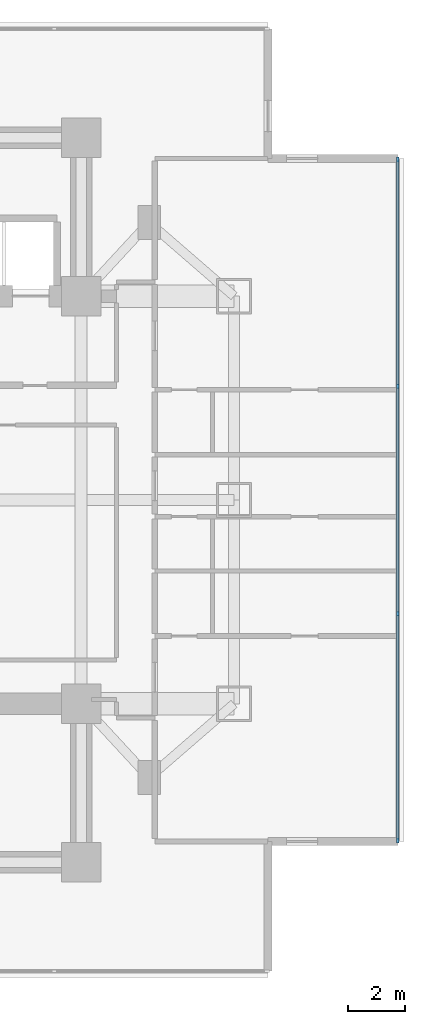
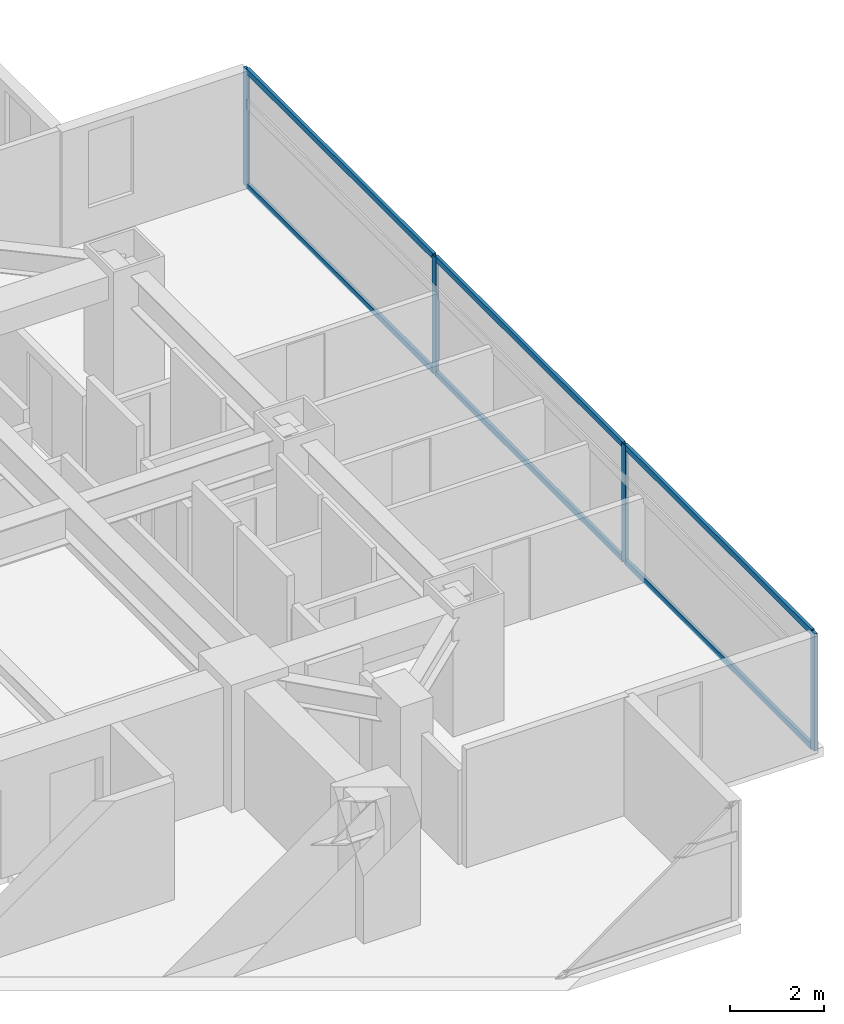
# One storey, part 11 of 26: 10 members, 1 element without a shape of its own.
"""IFC4 building model written with IfcOpenShell, lengths in metres."""

from ifc_helpers import new_model, si_unit, direction, frame, origin, origin_2d, place, context, subcontext, project, spatial, rectangle, extrude, material, material_profile, profile_set, type_object, element, aggregate, save


model = new_model("IFC4")

# Units and contexts
model_context = context("Model", 3, precision=1e-05, world=origin(), true_north=direction((0.0, 1.0)))
body_context = subcontext(model_context, "Body", "Model", "MODEL_VIEW")
ifc_project = project(units=[si_unit("LENGTHUNIT", "METRE"), si_unit("AREAUNIT", "SQUARE_METRE"), si_unit("VOLUMEUNIT", "CUBIC_METRE"), si_unit("PLANEANGLEUNIT", "RADIAN"), si_unit("MASSUNIT", "GRAM", prefix="KILO")], contexts=[model_context])

# Site, building, storey
site_placement = place(None, origin())
site = spatial("IfcSite", under=ifc_project, at=site_placement, CompositionType="ELEMENT")
building_placement = place(site_placement, origin())
building = spatial("IfcBuilding", under=site, at=building_placement, Name="Mirazonda Arch Towers", CompositionType="ELEMENT")
storey_placement = place(building_placement, frame((0.0, 0.0, 48.800048828125)))
storey = spatial("IfcBuildingStorey", under=building, at=storey_placement, Name="L13", CompositionType="ELEMENT", Elevation=48.800048828125)

# Curtain wall, members
ifc_material_1 = material(Name="Anodised Aluminium and Low-E Glass", Category="aluminium")
curtain_wall_type = type_object("IfcCurtainWallType", Name="CW-HTL-UNIT", PredefinedType="NOTDEFINED", material=ifc_material_1)
curtain_wall_placement = place(storey_placement, origin())
curtain_wall = element("IfcCurtainWall", 1, at=curtain_wall_placement, inside=storey, type_object=curtain_wall_type, Name="L13 T2 E Facade CW-L13-T2-E", PredefinedType="NOTDEFINED")
ifc_material_2 = material(Name="Anodised Aluminium Alloy", Category="aluminium")
ifc_material_profile_1 = material_profile(ifc_material_2, rectangle(XDim=0.074951171875, YDim=0.1650390625, at=origin_2d()), Name="ALU-MULL-75x165")
ifc_profile_set_1 = profile_set([ifc_material_profile_1], Name="Anodised Aluminium Alloy")
member_type_1 = type_object("IfcMemberType", Name="MULL-CW-HTL-UNIT", PredefinedType="MULLION", material=ifc_profile_set_1)
member_1_placement = place(storey_placement, frame((96.18408203125, 15.97119140625, 0.0), z_axis=(0.0, 0.0, 1.0), x_axis=(-1.0, 0.0, 0.0)))
member_1 = element("IfcMember", 2, at=member_1_placement, type_object=member_type_1, Name="CW-112 mullion 1", PredefinedType="MULLION", context=body_context, shape_type="SweptSolid", body=[
    extrude(rectangle(XDim=0.074951171875, YDim=0.1650390625, at=origin_2d()), origin(), (0.0, 0.0, 1.0), 3.0400390625),
])
member_2_placement = place(storey_placement, frame((96.18408203125, 23.977783203125, 0.0), z_axis=(0.0, 0.0, 1.0), x_axis=(-1.0, 0.0, 0.0)))
member_2 = element("IfcMember", 3, at=member_2_placement, type_object=member_type_1, Name="CW-112 mullion 2", PredefinedType="MULLION", context=body_context, shape_type="SweptSolid", body=[
    extrude(rectangle(XDim=0.074951171875, YDim=0.1650390625, at=origin_2d()), origin(), (0.0, 0.0, 1.0), 3.0400390625),
])
member_3_placement = place(storey_placement, frame((96.18408203125, 32.022216796875, 0.0), z_axis=(0.0, 0.0, 1.0), x_axis=(-1.0, 0.0, 0.0)))
member_3 = element("IfcMember", 4, at=member_3_placement, type_object=member_type_1, Name="CW-112 mullion 3", PredefinedType="MULLION", context=body_context, shape_type="SweptSolid", body=[
    extrude(rectangle(XDim=0.074951171875, YDim=0.1650390625, at=origin_2d()), origin(), (0.0, 0.0, 1.0), 3.0400390625),
])
member_4_placement = place(storey_placement, frame((96.18408203125, 40.02880859375, 0.0), z_axis=(0.0, 0.0, 1.0), x_axis=(-1.0, 0.0, 0.0)))
member_4 = element("IfcMember", 5, at=member_4_placement, type_object=member_type_1, Name="CW-112 mullion 4", PredefinedType="MULLION", context=body_context, shape_type="SweptSolid", body=[
    extrude(rectangle(XDim=0.074951171875, YDim=0.1650390625, at=origin_2d()), origin(), (0.0, 0.0, 1.0), 3.0400390625),
])
ifc_material_profile_2 = material_profile(ifc_material_2, rectangle(XDim=0.074951171875, YDim=0.14501953125, at=origin_2d()), Name="ALU-TRAN-75x145")
ifc_profile_set_2 = profile_set([ifc_material_profile_2], Name="Anodised Aluminium Alloy")
member_type_2 = type_object("IfcMemberType", Name="TRAN-CW-HTL-UNIT", PredefinedType="USERDEFINED", material=ifc_profile_set_2)
member_5_placement = place(storey_placement, frame((96.18408203125, 16.008544921875, 0.037353515625), z_axis=(0.0, 1.0, 0.0), x_axis=(-1.0, 0.0, 0.0)))
member_5 = element("IfcMember", 6, at=member_5_placement, type_object=member_type_2, Name="CW-112 transom 1.1", ObjectType="TRANSOM", PredefinedType="USERDEFINED", context=body_context, shape_type="SweptSolid", body=[
    extrude(rectangle(XDim=0.074951171875, YDim=0.14501953125, at=origin_2d()), origin(), (0.0, 0.0, 1.0), 7.931884765625),
])
member_6_placement = place(storey_placement, frame((96.18408203125, 16.008544921875, 3.00244140625), z_axis=(0.0, 1.0, 0.0), x_axis=(-1.0, 0.0, 0.0)))
member_6 = element("IfcMember", 7, at=member_6_placement, type_object=member_type_2, Name="CW-112 transom 1.2", ObjectType="TRANSOM", PredefinedType="USERDEFINED", context=body_context, shape_type="SweptSolid", body=[
    extrude(rectangle(XDim=0.074951171875, YDim=0.14501953125, at=origin_2d()), origin(), (0.0, 0.0, 1.0), 7.931884765625),
])
member_7_placement = place(storey_placement, frame((96.18408203125, 24.015380859375, 0.037353515625), z_axis=(0.0, 1.0, 0.0), x_axis=(-1.0, 0.0, 0.0)))
member_7 = element("IfcMember", 8, at=member_7_placement, type_object=member_type_2, Name="CW-112 transom 2.1", ObjectType="TRANSOM", PredefinedType="USERDEFINED", context=body_context, shape_type="SweptSolid", body=[
    extrude(rectangle(XDim=0.074951171875, YDim=0.14501953125, at=origin_2d()), origin(), (0.0, 0.0, 1.0), 7.96923828125),
])
member_8_placement = place(storey_placement, frame((96.18408203125, 24.015380859375, 3.00244140625), z_axis=(0.0, 1.0, 0.0), x_axis=(-1.0, 0.0, 0.0)))
member_8 = element("IfcMember", 9, at=member_8_placement, type_object=member_type_2, Name="CW-112 transom 2.2", ObjectType="TRANSOM", PredefinedType="USERDEFINED", context=body_context, shape_type="SweptSolid", body=[
    extrude(rectangle(XDim=0.074951171875, YDim=0.14501953125, at=origin_2d()), origin(), (0.0, 0.0, 1.0), 7.96923828125),
])
member_9_placement = place(storey_placement, frame((96.18408203125, 32.0595703125, 0.037353515625), z_axis=(0.0, 1.0, 0.0), x_axis=(-1.0, 0.0, 0.0)))
member_9 = element("IfcMember", 10, at=member_9_placement, type_object=member_type_2, Name="CW-112 transom 3.1", ObjectType="TRANSOM", PredefinedType="USERDEFINED", context=body_context, shape_type="SweptSolid", body=[
    extrude(rectangle(XDim=0.074951171875, YDim=0.14501953125, at=origin_2d()), origin(), (0.0, 0.0, 1.0), 7.931884765625),
])
member_10_placement = place(storey_placement, frame((96.18408203125, 32.0595703125, 3.00244140625), z_axis=(0.0, 1.0, 0.0), x_axis=(-1.0, 0.0, 0.0)))
member_10 = element("IfcMember", 11, at=member_10_placement, type_object=member_type_2, Name="CW-112 transom 3.2", ObjectType="TRANSOM", PredefinedType="USERDEFINED", context=body_context, shape_type="SweptSolid", body=[
    extrude(rectangle(XDim=0.074951171875, YDim=0.14501953125, at=origin_2d()), origin(), (0.0, 0.0, 1.0), 7.931884765625),
])
aggregate(curtain_wall, [member_1, member_2, member_3, member_4, member_5, member_6, member_7, member_8, member_9, member_10])

save(model, "model.ifc")
